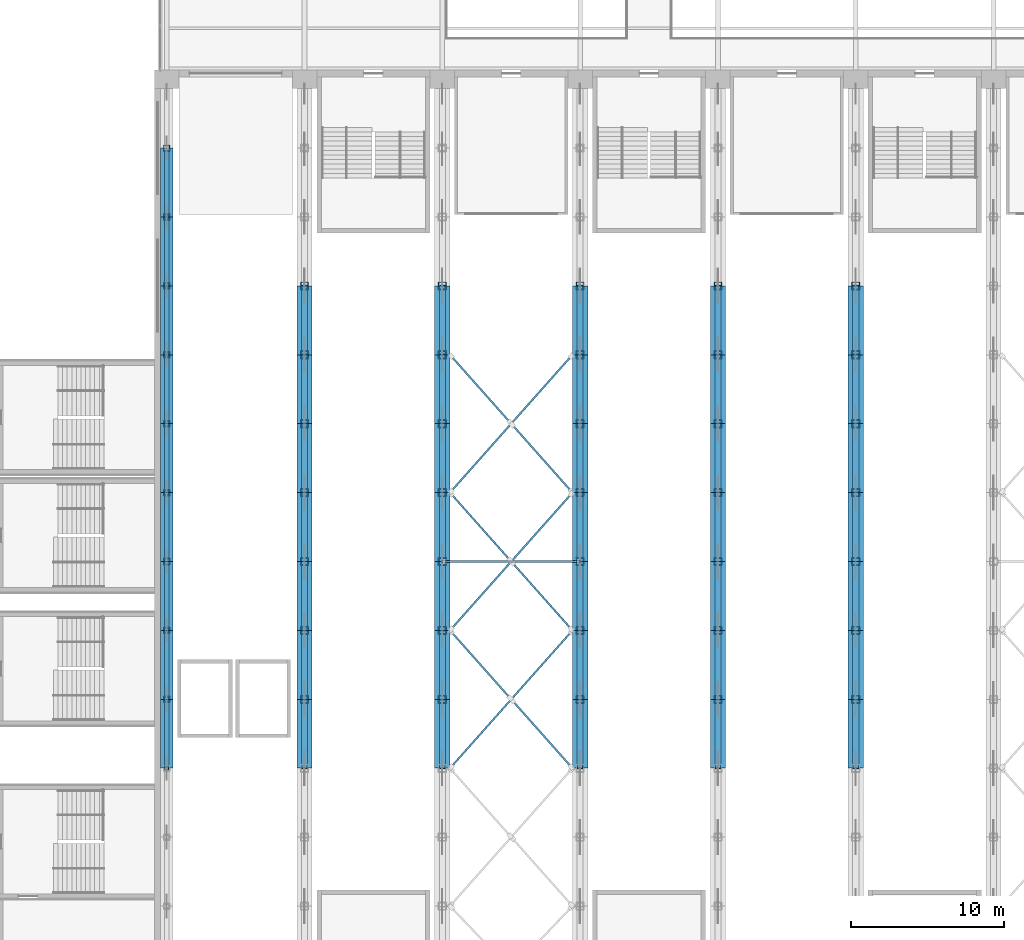
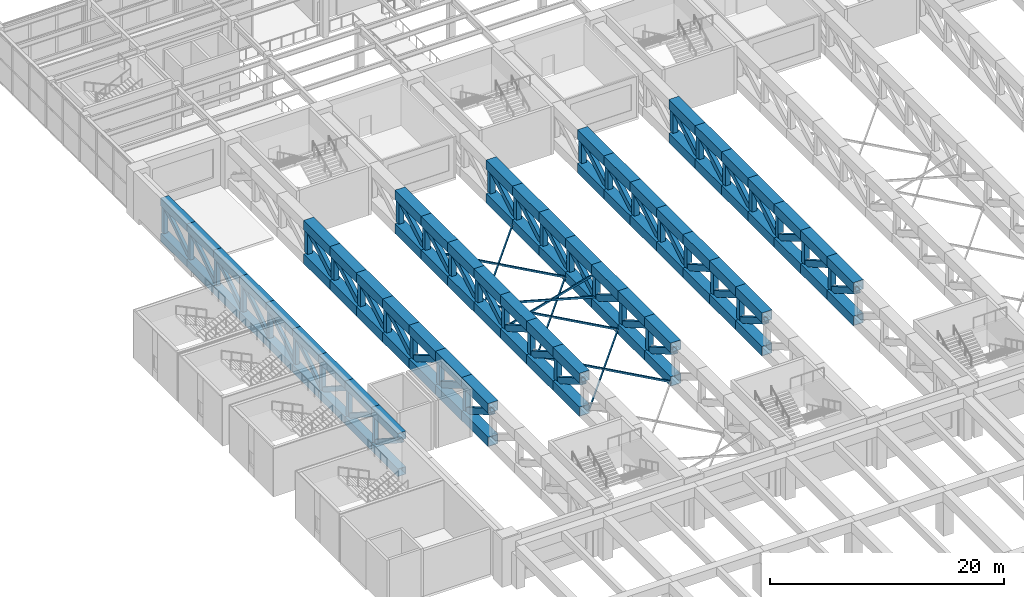
# One storey, part 13 of 76: 188 members.
"""IFC4 building model written with IfcOpenShell, lengths in metres."""

from ifc_helpers import new_model, si_unit, direction, frame, origin, origin_2d, place, context, subcontext, project, spatial, hollow_rectangle, extrude, material, material_profile, profile_set, type_object, element, save


model = new_model("IFC4")

# Units and contexts
model_context = context("Model", 3, precision=1e-05, world=origin(), true_north=direction((0.0, 1.0)))
body_context = subcontext(model_context, "Body", "Model", "MODEL_VIEW")
ifc_project = project(units=[si_unit("LENGTHUNIT", "METRE"), si_unit("AREAUNIT", "SQUARE_METRE"), si_unit("VOLUMEUNIT", "CUBIC_METRE"), si_unit("PLANEANGLEUNIT", "RADIAN"), si_unit("MASSUNIT", "GRAM", prefix="KILO")], contexts=[model_context])

# Site, building, storey
site_placement = place(None, origin())
site = spatial("IfcSite", under=ifc_project, at=site_placement, CompositionType="ELEMENT")
building_placement = place(site_placement, origin())
building = spatial("IfcBuilding", under=site, at=building_placement, Name="Aravalli Gate Trade Fair Centre", CompositionType="ELEMENT")
storey_placement = place(building_placement, frame((0.0, 0.0, 10.0)))
storey = spatial("IfcBuildingStorey", under=building, at=storey_placement, Name="L02", CompositionType="ELEMENT", Elevation=10.0)

# Members
ifc_material = material(Name="Steel E350", Category="steel")
ifc_material_profile_1 = material_profile(ifc_material, hollow_rectangle(XDim=0.1201171875, YDim=0.199951171875, WallThickness=0.008056640625, at=origin_2d()), Name="RHS 200x120x8")
ifc_profile_set_1 = profile_set([ifc_material_profile_1], Name="Steel E350")
member_type_1 = type_object("IfcMemberType", Name="Cross frame brace RHS 200x120x8", PredefinedType="BRACE", material=ifc_profile_set_1)
member_1_placement = place(storey_placement, frame((24.5, 64.0, 0.5), z_axis=(0.66436383883, 0.747409318684, 0.0), x_axis=(-0.747409318684, 0.66436383883, 0.0)))
element("IfcMember", 1, at=member_1_placement, inside=storey, type_object=member_type_1, Name="FT plan brace bay 3 cell 3A", PredefinedType="BRACE", context=body_context, shape_type="SweptSolid", body=[
    extrude(hollow_rectangle(XDim=0.1201171875, YDim=0.199951171875, WallThickness=0.008056640625, at=origin_2d()), origin(), (0.0, 0.0, 1.0), 12.04150390625),
])
for number, where, z_axis, x_axis, name in (
    (2, (24.5, 73.0, 0.5), (0.66436383883, -0.747409318684, 0.0), (0.747409318684, 0.66436383883, 0.0), "FT plan brace bay 3 cell 3B half 1"),
    (3, (28.5, 68.5, 0.5), (0.66436383883, -0.747409318684, 0.0), (0.747409318684, 0.66436383883, 0.0), "FT plan brace bay 3 cell 3B half 2"),
):
    element("IfcMember", number, at=place(storey_placement, frame(where, z_axis=z_axis, x_axis=x_axis)), inside=storey, type_object=member_type_1, Name=name, PredefinedType="BRACE", context=body_context, shape_type="SweptSolid", body=[
        extrude(hollow_rectangle(XDim=0.1201171875, YDim=0.199951171875, WallThickness=0.008056640625, at=origin_2d()), origin(), (0.0, 0.0, 1.0), 6.020751953125),
    ])
member_2_placement = place(storey_placement, frame((24.5, 73.0, 0.5), z_axis=(0.66436383883, 0.747409318684, 0.0), x_axis=(-0.747409318684, 0.66436383883, 0.0)))
element("IfcMember", 4, at=member_2_placement, inside=storey, type_object=member_type_1, Name="FT plan brace bay 3 cell 4A", PredefinedType="BRACE", context=body_context, shape_type="SweptSolid", body=[
    extrude(hollow_rectangle(XDim=0.1201171875, YDim=0.199951171875, WallThickness=0.008056640625, at=origin_2d()), origin(), (0.0, 0.0, 1.0), 12.04150390625),
])
for number, where, z_axis, x_axis, name in (
    (5, (24.5, 82.0, 0.5), (0.66436383883, -0.747409318684, 0.0), (0.747409318684, 0.66436383883, 0.0), "FT plan brace bay 3 cell 4B half 1"),
    (6, (28.5, 77.5, 0.5), (0.66436383883, -0.747409318684, 0.0), (0.747409318684, 0.66436383883, 0.0), "FT plan brace bay 3 cell 4B half 2"),
):
    element("IfcMember", number, at=place(storey_placement, frame(where, z_axis=z_axis, x_axis=x_axis)), inside=storey, type_object=member_type_1, Name=name, PredefinedType="BRACE", context=body_context, shape_type="SweptSolid", body=[
        extrude(hollow_rectangle(XDim=0.1201171875, YDim=0.199951171875, WallThickness=0.008056640625, at=origin_2d()), origin(), (0.0, 0.0, 1.0), 6.020751953125),
    ])
member_3_placement = place(storey_placement, frame((24.5, 82.0, 0.5), z_axis=(0.66436383883, 0.747409318684, 0.0), x_axis=(-0.747409318684, 0.66436383883, 0.0)))
element("IfcMember", 7, at=member_3_placement, inside=storey, type_object=member_type_1, Name="FT plan brace bay 3 cell 5A", PredefinedType="BRACE", context=body_context, shape_type="SweptSolid", body=[
    extrude(hollow_rectangle(XDim=0.1201171875, YDim=0.199951171875, WallThickness=0.008056640625, at=origin_2d()), origin(), (0.0, 0.0, 1.0), 12.04150390625),
])
for number, where, z_axis, x_axis, name in (
    (8, (24.5, 91.0, 0.5), (0.66436383883, -0.747409318684, 0.0), (0.747409318684, 0.66436383883, 0.0), "FT plan brace bay 3 cell 5B half 1"),
    (9, (28.5, 86.5, 0.5), (0.66436383883, -0.747409318684, 0.0), (0.747409318684, 0.66436383883, 0.0), "FT plan brace bay 3 cell 5B half 2"),
):
    element("IfcMember", number, at=place(storey_placement, frame(where, z_axis=z_axis, x_axis=x_axis)), inside=storey, type_object=member_type_1, Name=name, PredefinedType="BRACE", context=body_context, shape_type="SweptSolid", body=[
        extrude(hollow_rectangle(XDim=0.1201171875, YDim=0.199951171875, WallThickness=0.008056640625, at=origin_2d()), origin(), (0.0, 0.0, 1.0), 6.020751953125),
    ])
member_4_placement = place(storey_placement, frame((24.0, 77.5, 1.0), z_axis=(0.96351790963, 0.0, 0.267643863786), x_axis=(0.0, 1.0, 0.0)))
element("IfcMember", 10, at=member_4_placement, inside=storey, type_object=member_type_1, Name="FT vertical brace bay 3 frame 2A", PredefinedType="BRACE", context=body_context, shape_type="SweptSolid", body=[
    extrude(hollow_rectangle(XDim=0.1201171875, YDim=0.199951171875, WallThickness=0.008056640625, at=origin_2d()), origin(), (0.0, 0.0, 1.0), 9.3408203125),
])
for number, where, z_axis, x_axis, name in (
    (11, (24.0, 77.5, 3.5), (0.96351790963, 0.0, -0.267643863786), (0.0, 1.0, 0.0), "FT vertical brace bay 3 frame 2B half 1"),
    (12, (28.5, 77.5, 2.25), (0.96351790963, 0.0, -0.267643863786), (0.0, 1.0, 0.0), "FT vertical brace bay 3 frame 2B half 2"),
):
    element("IfcMember", number, at=place(storey_placement, frame(where, z_axis=z_axis, x_axis=x_axis)), inside=storey, type_object=member_type_1, Name=name, PredefinedType="BRACE", context=body_context, shape_type="SweptSolid", body=[
        extrude(hollow_rectangle(XDim=0.1201171875, YDim=0.199951171875, WallThickness=0.008056640625, at=origin_2d()), origin(), (0.0, 0.0, 1.0), 4.67041015625),
    ])
ifc_material_profile_2 = material_profile(ifc_material, hollow_rectangle(XDim=1.0, YDim=1.0, WallThickness=0.050048828125, at=origin_2d()), Name="BOX 1000x1000x50")
ifc_profile_set_2 = profile_set([ifc_material_profile_2], Name="Steel E350")
member_type_2 = type_object("IfcMemberType", Name="FT1 chord BOX 1000x1000x50", PredefinedType="CHORD", material=ifc_profile_set_2)
for number, where, z_axis, x_axis, name in (
    (13, (15.0, 64.0, 0.5), (0.0, 1.0, 0.0), (-1.0, 0.0, 0.0), "FT1 line 2 bottom chord 5"),
    (14, (15.0, 64.0, 4.0), (0.0, 1.0, 0.0), (-1.0, 0.0, 0.0), "FT1 line 2 top chord 5"),
    (15, (15.0, 68.5, 0.5), (0.0, 1.0, 0.0), (-1.0, 0.0, 0.0), "FT1 line 2 bottom chord 6"),
    (16, (15.0, 68.5, 4.0), (0.0, 1.0, 0.0), (-1.0, 0.0, 0.0), "FT1 line 2 top chord 6"),
    (17, (15.0, 73.0, 0.5), (0.0, 1.0, 0.0), (-1.0, 0.0, 0.0), "FT1 line 2 bottom chord 7"),
    (18, (15.0, 73.0, 4.0), (0.0, 1.0, 0.0), (-1.0, 0.0, 0.0), "FT1 line 2 top chord 7"),
    (19, (15.0, 77.5, 0.5), (0.0, 1.0, 0.0), (-1.0, 0.0, 0.0), "FT1 line 2 bottom chord 8"),
    (20, (15.0, 77.5, 4.0), (0.0, 1.0, 0.0), (-1.0, 0.0, 0.0), "FT1 line 2 top chord 8"),
    (21, (15.0, 82.0, 0.5), (0.0, 1.0, 0.0), (-1.0, 0.0, 0.0), "FT1 line 2 bottom chord 9"),
    (22, (15.0, 82.0, 4.0), (0.0, 1.0, 0.0), (-1.0, 0.0, 0.0), "FT1 line 2 top chord 9"),
    (23, (15.0, 86.5, 0.5), (0.0, 1.0, 0.0), (-1.0, 0.0, 0.0), "FT1 line 2 bottom chord 10"),
    (24, (15.0, 86.5, 4.0), (0.0, 1.0, 0.0), (-1.0, 0.0, 0.0), "FT1 line 2 top chord 10"),
    (25, (15.0, 91.0, 0.5), (0.0, 1.0, 0.0), (-1.0, 0.0, 0.0), "FT1 line 2 bottom chord 11"),
    (26, (15.0, 91.0, 4.0), (0.0, 1.0, 0.0), (-1.0, 0.0, 0.0), "FT1 line 2 top chord 11"),
    (27, (24.0, 64.0, 0.5), (0.0, 1.0, 0.0), (-1.0, 0.0, 0.0), "FT1 line 3 bottom chord 5"),
    (28, (24.0, 64.0, 4.0), (0.0, 1.0, 0.0), (-1.0, 0.0, 0.0), "FT1 line 3 top chord 5"),
    (29, (24.0, 68.5, 0.5), (0.0, 1.0, 0.0), (-1.0, 0.0, 0.0), "FT1 line 3 bottom chord 6"),
    (30, (24.0, 68.5, 4.0), (0.0, 1.0, 0.0), (-1.0, 0.0, 0.0), "FT1 line 3 top chord 6"),
    (31, (24.0, 73.0, 0.5), (0.0, 1.0, 0.0), (-1.0, 0.0, 0.0), "FT1 line 3 bottom chord 7"),
    (32, (24.0, 73.0, 4.0), (0.0, 1.0, 0.0), (-1.0, 0.0, 0.0), "FT1 line 3 top chord 7"),
    (33, (24.0, 77.5, 0.5), (0.0, 1.0, 0.0), (-1.0, 0.0, 0.0), "FT1 line 3 bottom chord 8"),
    (34, (24.0, 77.5, 4.0), (0.0, 1.0, 0.0), (-1.0, 0.0, 0.0), "FT1 line 3 top chord 8"),
    (35, (24.0, 82.0, 0.5), (0.0, 1.0, 0.0), (-1.0, 0.0, 0.0), "FT1 line 3 bottom chord 9"),
    (36, (24.0, 82.0, 4.0), (0.0, 1.0, 0.0), (-1.0, 0.0, 0.0), "FT1 line 3 top chord 9"),
    (37, (24.0, 86.5, 0.5), (0.0, 1.0, 0.0), (-1.0, 0.0, 0.0), "FT1 line 3 bottom chord 10"),
    (38, (24.0, 86.5, 4.0), (0.0, 1.0, 0.0), (-1.0, 0.0, 0.0), "FT1 line 3 top chord 10"),
    (39, (24.0, 91.0, 0.5), (0.0, 1.0, 0.0), (-1.0, 0.0, 0.0), "FT1 line 3 bottom chord 11"),
    (40, (24.0, 91.0, 4.0), (0.0, 1.0, 0.0), (-1.0, 0.0, 0.0), "FT1 line 3 top chord 11"),
    (41, (33.0, 64.0, 0.5), (0.0, 1.0, 0.0), (-1.0, 0.0, 0.0), "FT1 line 4 bottom chord 5"),
    (42, (33.0, 64.0, 4.0), (0.0, 1.0, 0.0), (-1.0, 0.0, 0.0), "FT1 line 4 top chord 5"),
    (43, (33.0, 68.5, 0.5), (0.0, 1.0, 0.0), (-1.0, 0.0, 0.0), "FT1 line 4 bottom chord 6"),
    (44, (33.0, 68.5, 4.0), (0.0, 1.0, 0.0), (-1.0, 0.0, 0.0), "FT1 line 4 top chord 6"),
    (45, (33.0, 73.0, 0.5), (0.0, 1.0, 0.0), (-1.0, 0.0, 0.0), "FT1 line 4 bottom chord 7"),
    (46, (33.0, 73.0, 4.0), (0.0, 1.0, 0.0), (-1.0, 0.0, 0.0), "FT1 line 4 top chord 7"),
    (47, (33.0, 77.5, 0.5), (0.0, 1.0, 0.0), (-1.0, 0.0, 0.0), "FT1 line 4 bottom chord 8"),
    (48, (33.0, 77.5, 4.0), (0.0, 1.0, 0.0), (-1.0, 0.0, 0.0), "FT1 line 4 top chord 8"),
    (49, (33.0, 82.0, 0.5), (0.0, 1.0, 0.0), (-1.0, 0.0, 0.0), "FT1 line 4 bottom chord 9"),
    (50, (33.0, 82.0, 4.0), (0.0, 1.0, 0.0), (-1.0, 0.0, 0.0), "FT1 line 4 top chord 9"),
    (51, (33.0, 86.5, 0.5), (0.0, 1.0, 0.0), (-1.0, 0.0, 0.0), "FT1 line 4 bottom chord 10"),
    (52, (33.0, 86.5, 4.0), (0.0, 1.0, 0.0), (-1.0, 0.0, 0.0), "FT1 line 4 top chord 10"),
    (53, (33.0, 91.0, 0.5), (0.0, 1.0, 0.0), (-1.0, 0.0, 0.0), "FT1 line 4 bottom chord 11"),
    (54, (33.0, 91.0, 4.0), (0.0, 1.0, 0.0), (-1.0, 0.0, 0.0), "FT1 line 4 top chord 11"),
    (55, (42.0, 64.0, 0.5), (0.0, 1.0, 0.0), (-1.0, 0.0, 0.0), "FT1 line 5 bottom chord 5"),
    (56, (42.0, 64.0, 4.0), (0.0, 1.0, 0.0), (-1.0, 0.0, 0.0), "FT1 line 5 top chord 5"),
    (57, (42.0, 68.5, 0.5), (0.0, 1.0, 0.0), (-1.0, 0.0, 0.0), "FT1 line 5 bottom chord 6"),
    (58, (42.0, 68.5, 4.0), (0.0, 1.0, 0.0), (-1.0, 0.0, 0.0), "FT1 line 5 top chord 6"),
    (59, (42.0, 73.0, 0.5), (0.0, 1.0, 0.0), (-1.0, 0.0, 0.0), "FT1 line 5 bottom chord 7"),
    (60, (42.0, 73.0, 4.0), (0.0, 1.0, 0.0), (-1.0, 0.0, 0.0), "FT1 line 5 top chord 7"),
    (61, (42.0, 77.5, 0.5), (0.0, 1.0, 0.0), (-1.0, 0.0, 0.0), "FT1 line 5 bottom chord 8"),
    (62, (42.0, 77.5, 4.0), (0.0, 1.0, 0.0), (-1.0, 0.0, 0.0), "FT1 line 5 top chord 8"),
    (63, (42.0, 82.0, 0.5), (0.0, 1.0, 0.0), (-1.0, 0.0, 0.0), "FT1 line 5 bottom chord 9"),
    (64, (42.0, 82.0, 4.0), (0.0, 1.0, 0.0), (-1.0, 0.0, 0.0), "FT1 line 5 top chord 9"),
    (65, (42.0, 86.5, 0.5), (0.0, 1.0, 0.0), (-1.0, 0.0, 0.0), "FT1 line 5 bottom chord 10"),
    (66, (42.0, 86.5, 4.0), (0.0, 1.0, 0.0), (-1.0, 0.0, 0.0), "FT1 line 5 top chord 10"),
    (67, (42.0, 91.0, 0.5), (0.0, 1.0, 0.0), (-1.0, 0.0, 0.0), "FT1 line 5 bottom chord 11"),
    (68, (42.0, 91.0, 4.0), (0.0, 1.0, 0.0), (-1.0, 0.0, 0.0), "FT1 line 5 top chord 11"),
    (69, (51.0, 64.0, 0.5), (0.0, 1.0, 0.0), (-1.0, 0.0, 0.0), "FT1 line 6 bottom chord 5"),
    (70, (51.0, 64.0, 4.0), (0.0, 1.0, 0.0), (-1.0, 0.0, 0.0), "FT1 line 6 top chord 5"),
    (71, (51.0, 68.5, 0.5), (0.0, 1.0, 0.0), (-1.0, 0.0, 0.0), "FT1 line 6 bottom chord 6"),
    (72, (51.0, 68.5, 4.0), (0.0, 1.0, 0.0), (-1.0, 0.0, 0.0), "FT1 line 6 top chord 6"),
    (73, (51.0, 73.0, 0.5), (0.0, 1.0, 0.0), (-1.0, 0.0, 0.0), "FT1 line 6 bottom chord 7"),
    (74, (51.0, 73.0, 4.0), (0.0, 1.0, 0.0), (-1.0, 0.0, 0.0), "FT1 line 6 top chord 7"),
    (75, (51.0, 77.5, 0.5), (0.0, 1.0, 0.0), (-1.0, 0.0, 0.0), "FT1 line 6 bottom chord 8"),
    (76, (51.0, 77.5, 4.0), (0.0, 1.0, 0.0), (-1.0, 0.0, 0.0), "FT1 line 6 top chord 8"),
    (77, (51.0, 82.0, 0.5), (0.0, 1.0, 0.0), (-1.0, 0.0, 0.0), "FT1 line 6 bottom chord 9"),
    (78, (51.0, 82.0, 4.0), (0.0, 1.0, 0.0), (-1.0, 0.0, 0.0), "FT1 line 6 top chord 9"),
    (79, (51.0, 86.5, 0.5), (0.0, 1.0, 0.0), (-1.0, 0.0, 0.0), "FT1 line 6 bottom chord 10"),
    (80, (51.0, 86.5, 4.0), (0.0, 1.0, 0.0), (-1.0, 0.0, 0.0), "FT1 line 6 top chord 10"),
    (81, (51.0, 91.0, 0.5), (0.0, 1.0, 0.0), (-1.0, 0.0, 0.0), "FT1 line 6 bottom chord 11"),
    (82, (51.0, 91.0, 4.0), (0.0, 1.0, 0.0), (-1.0, 0.0, 0.0), "FT1 line 6 top chord 11"),
):
    element("IfcMember", number, at=place(storey_placement, frame(where, z_axis=z_axis, x_axis=x_axis)), inside=storey, type_object=member_type_2, Name=name, PredefinedType="CHORD", context=body_context, shape_type="SweptSolid", body=[
        extrude(hollow_rectangle(XDim=1.0, YDim=1.0, WallThickness=0.050048828125, at=origin_2d()), origin(), (0.0, 0.0, 1.0), 4.5),
    ])
ifc_material_profile_3 = material_profile(ifc_material, hollow_rectangle(XDim=0.39990234375, YDim=0.60009765625, WallThickness=0.030029296875, at=origin_2d()), Name="RHS 600x400x30")
ifc_profile_set_3 = profile_set([ifc_material_profile_3], Name="Steel E350")
member_type_3 = type_object("IfcMemberType", Name="FT1 diagonal RHS 600x400x30", PredefinedType="BRACE", material=ifc_profile_set_3)
for number, where, z_axis, x_axis, name in (
    (83, (15.0, 64.10498046875, 3.5), (0.0, 0.863999951417, -0.503491890651), (-1.0, 0.0, 0.0), "FT1 line 2 diagonal 5"),
    (84, (15.0, 68.60498046875, 3.5), (0.0, 0.863999951417, -0.503491890651), (-1.0, 0.0, 0.0), "FT1 line 2 diagonal 6"),
    (85, (15.0, 73.10498046875, 3.5), (0.0, 0.863999951417, -0.503491890651), (-1.0, 0.0, 0.0), "FT1 line 2 diagonal 7"),
    (86, (15.0, 81.89501953125, 3.5), (0.0, -0.863999951417, -0.503491890651), (1.0, 0.0, 0.0), "FT1 line 2 diagonal 8"),
    (87, (15.0, 86.39501953125, 3.5), (0.0, -0.863999951417, -0.503491890651), (1.0, 0.0, 0.0), "FT1 line 2 diagonal 9"),
    (88, (15.0, 90.89501953125, 3.5), (0.0, -0.863999951417, -0.503491890651), (1.0, 0.0, 0.0), "FT1 line 2 diagonal 10"),
    (89, (15.0, 95.39501953125, 3.5), (0.0, -0.863999951417, -0.503491890651), (1.0, 0.0, 0.0), "FT1 line 2 diagonal 11"),
    (90, (24.0, 64.10498046875, 3.5), (0.0, 0.863999951417, -0.503491890651), (-1.0, 0.0, 0.0), "FT1 line 3 diagonal 5"),
    (91, (24.0, 68.60498046875, 3.5), (0.0, 0.863999951417, -0.503491890651), (-1.0, 0.0, 0.0), "FT1 line 3 diagonal 6"),
    (92, (24.0, 73.10498046875, 3.5), (0.0, 0.863999951417, -0.503491890651), (-1.0, 0.0, 0.0), "FT1 line 3 diagonal 7"),
    (93, (24.0, 81.89501953125, 3.5), (0.0, -0.863999951417, -0.503491890651), (1.0, 0.0, 0.0), "FT1 line 3 diagonal 8"),
    (94, (24.0, 86.39501953125, 3.5), (0.0, -0.863999951417, -0.503491890651), (1.0, 0.0, 0.0), "FT1 line 3 diagonal 9"),
    (95, (24.0, 90.89501953125, 3.5), (0.0, -0.863999951417, -0.503491890651), (1.0, 0.0, 0.0), "FT1 line 3 diagonal 10"),
    (96, (24.0, 95.39501953125, 3.5), (0.0, -0.863999951417, -0.503491890651), (1.0, 0.0, 0.0), "FT1 line 3 diagonal 11"),
    (97, (33.0, 64.10498046875, 3.5), (0.0, 0.863999951417, -0.503491890651), (-1.0, 0.0, 0.0), "FT1 line 4 diagonal 5"),
    (98, (33.0, 68.60498046875, 3.5), (0.0, 0.863999951417, -0.503491890651), (-1.0, 0.0, 0.0), "FT1 line 4 diagonal 6"),
    (99, (33.0, 73.10498046875, 3.5), (0.0, 0.863999951417, -0.503491890651), (-1.0, 0.0, 0.0), "FT1 line 4 diagonal 7"),
    (100, (33.0, 81.89501953125, 3.5), (0.0, -0.863999951417, -0.503491890651), (1.0, 0.0, 0.0), "FT1 line 4 diagonal 8"),
    (101, (33.0, 86.39501953125, 3.5), (0.0, -0.863999951417, -0.503491890651), (1.0, 0.0, 0.0), "FT1 line 4 diagonal 9"),
    (102, (33.0, 90.89501953125, 3.5), (0.0, -0.863999951417, -0.503491890651), (1.0, 0.0, 0.0), "FT1 line 4 diagonal 10"),
    (103, (33.0, 95.39501953125, 3.5), (0.0, -0.863999951417, -0.503491890651), (1.0, 0.0, 0.0), "FT1 line 4 diagonal 11"),
    (104, (42.0, 64.10498046875, 3.5), (0.0, 0.863999951417, -0.503491890651), (-1.0, 0.0, 0.0), "FT1 line 5 diagonal 5"),
    (105, (42.0, 68.60498046875, 3.5), (0.0, 0.863999951417, -0.503491890651), (-1.0, 0.0, 0.0), "FT1 line 5 diagonal 6"),
    (106, (42.0, 73.10498046875, 3.5), (0.0, 0.863999951417, -0.503491890651), (-1.0, 0.0, 0.0), "FT1 line 5 diagonal 7"),
    (107, (42.0, 81.89501953125, 3.5), (0.0, -0.863999951417, -0.503491890651), (1.0, 0.0, 0.0), "FT1 line 5 diagonal 8"),
    (108, (42.0, 86.39501953125, 3.5), (0.0, -0.863999951417, -0.503491890651), (1.0, 0.0, 0.0), "FT1 line 5 diagonal 9"),
    (109, (42.0, 90.89501953125, 3.5), (0.0, -0.863999951417, -0.503491890651), (1.0, 0.0, 0.0), "FT1 line 5 diagonal 10"),
    (110, (42.0, 95.39501953125, 3.5), (0.0, -0.863999951417, -0.503491890651), (1.0, 0.0, 0.0), "FT1 line 5 diagonal 11"),
    (111, (51.0, 64.10498046875, 3.5), (0.0, 0.863999951417, -0.503491890651), (-1.0, 0.0, 0.0), "FT1 line 6 diagonal 5"),
    (112, (51.0, 68.60498046875, 3.5), (0.0, 0.863999951417, -0.503491890651), (-1.0, 0.0, 0.0), "FT1 line 6 diagonal 6"),
    (113, (51.0, 73.10498046875, 3.5), (0.0, 0.863999951417, -0.503491890651), (-1.0, 0.0, 0.0), "FT1 line 6 diagonal 7"),
    (114, (51.0, 81.89501953125, 3.5), (0.0, -0.863999951417, -0.503491890651), (1.0, 0.0, 0.0), "FT1 line 6 diagonal 8"),
    (115, (51.0, 86.39501953125, 3.5), (0.0, -0.863999951417, -0.503491890651), (1.0, 0.0, 0.0), "FT1 line 6 diagonal 9"),
    (116, (51.0, 90.89501953125, 3.5), (0.0, -0.863999951417, -0.503491890651), (1.0, 0.0, 0.0), "FT1 line 6 diagonal 10"),
    (117, (51.0, 95.39501953125, 3.5), (0.0, -0.863999951417, -0.503491890651), (1.0, 0.0, 0.0), "FT1 line 6 diagonal 11"),
):
    element("IfcMember", number, at=place(storey_placement, frame(where, z_axis=z_axis, x_axis=x_axis)), inside=storey, type_object=member_type_3, Name=name, PredefinedType="BRACE", context=body_context, shape_type="SweptSolid", body=[
        extrude(hollow_rectangle(XDim=0.39990234375, YDim=0.60009765625, WallThickness=0.030029296875, at=origin_2d()), origin(), (0.0, 0.0, 1.0), 4.96533203125),
    ])
ifc_material_profile_4 = material_profile(ifc_material, hollow_rectangle(XDim=0.5, YDim=0.5, WallThickness=0.02490234375, at=origin_2d()), Name="BOX 500x500x25")
ifc_profile_set_4 = profile_set([ifc_material_profile_4], Name="Steel E350")
member_type_4 = type_object("IfcMemberType", Name="FT1 post BOX 500x500x25", PredefinedType="POST", material=ifc_profile_set_4)
for number, where, z_axis, x_axis, name in (
    (118, (15.0, 68.5, 1.0), (0.0, 0.0, 1.0), (1.0, 0.0, 0.0), "FT1 line 2 post 5"),
    (119, (15.0, 73.0, 1.0), (0.0, 0.0, 1.0), (1.0, 0.0, 0.0), "FT1 line 2 post 6"),
    (120, (15.0, 77.5, 1.0), (0.0, 0.0, 1.0), (1.0, 0.0, 0.0), "FT1 line 2 post 7"),
    (121, (15.0, 82.0, 1.0), (0.0, 0.0, 1.0), (1.0, 0.0, 0.0), "FT1 line 2 post 8"),
    (122, (15.0, 86.5, 1.0), (0.0, 0.0, 1.0), (1.0, 0.0, 0.0), "FT1 line 2 post 9"),
    (123, (15.0, 91.0, 1.0), (0.0, 0.0, 1.0), (1.0, 0.0, 0.0), "FT1 line 2 post 10"),
    (124, (15.0, 95.5, 1.0), (0.0, 0.0, 1.0), (1.0, 0.0, 0.0), "FT1 line 2 post 11"),
    (125, (24.0, 68.5, 1.0), (0.0, 0.0, 1.0), (1.0, 0.0, 0.0), "FT1 line 3 post 5"),
    (126, (24.0, 73.0, 1.0), (0.0, 0.0, 1.0), (1.0, 0.0, 0.0), "FT1 line 3 post 6"),
    (127, (24.0, 77.5, 1.0), (0.0, 0.0, 1.0), (1.0, 0.0, 0.0), "FT1 line 3 post 7"),
    (128, (24.0, 82.0, 1.0), (0.0, 0.0, 1.0), (1.0, 0.0, 0.0), "FT1 line 3 post 8"),
    (129, (24.0, 86.5, 1.0), (0.0, 0.0, 1.0), (1.0, 0.0, 0.0), "FT1 line 3 post 9"),
    (130, (24.0, 91.0, 1.0), (0.0, 0.0, 1.0), (1.0, 0.0, 0.0), "FT1 line 3 post 10"),
    (131, (24.0, 95.5, 1.0), (0.0, 0.0, 1.0), (1.0, 0.0, 0.0), "FT1 line 3 post 11"),
    (132, (33.0, 68.5, 1.0), (0.0, 0.0, 1.0), (1.0, 0.0, 0.0), "FT1 line 4 post 5"),
    (133, (33.0, 73.0, 1.0), (0.0, 0.0, 1.0), (1.0, 0.0, 0.0), "FT1 line 4 post 6"),
    (134, (33.0, 77.5, 1.0), (0.0, 0.0, 1.0), (1.0, 0.0, 0.0), "FT1 line 4 post 7"),
    (135, (33.0, 82.0, 1.0), (0.0, 0.0, 1.0), (1.0, 0.0, 0.0), "FT1 line 4 post 8"),
    (136, (33.0, 86.5, 1.0), (0.0, 0.0, 1.0), (1.0, 0.0, 0.0), "FT1 line 4 post 9"),
    (137, (33.0, 91.0, 1.0), (0.0, 0.0, 1.0), (1.0, 0.0, 0.0), "FT1 line 4 post 10"),
    (138, (33.0, 95.5, 1.0), (0.0, 0.0, 1.0), (1.0, 0.0, 0.0), "FT1 line 4 post 11"),
    (139, (42.0, 68.5, 1.0), (0.0, 0.0, 1.0), (1.0, 0.0, 0.0), "FT1 line 5 post 5"),
    (140, (42.0, 73.0, 1.0), (0.0, 0.0, 1.0), (1.0, 0.0, 0.0), "FT1 line 5 post 6"),
    (141, (42.0, 77.5, 1.0), (0.0, 0.0, 1.0), (1.0, 0.0, 0.0), "FT1 line 5 post 7"),
    (142, (42.0, 82.0, 1.0), (0.0, 0.0, 1.0), (1.0, 0.0, 0.0), "FT1 line 5 post 8"),
    (143, (42.0, 86.5, 1.0), (0.0, 0.0, 1.0), (1.0, 0.0, 0.0), "FT1 line 5 post 9"),
    (144, (42.0, 91.0, 1.0), (0.0, 0.0, 1.0), (1.0, 0.0, 0.0), "FT1 line 5 post 10"),
    (145, (42.0, 95.5, 1.0), (0.0, 0.0, 1.0), (1.0, 0.0, 0.0), "FT1 line 5 post 11"),
    (146, (51.0, 68.5, 1.0), (0.0, 0.0, 1.0), (1.0, 0.0, 0.0), "FT1 line 6 post 5"),
    (147, (51.0, 73.0, 1.0), (0.0, 0.0, 1.0), (1.0, 0.0, 0.0), "FT1 line 6 post 6"),
    (148, (51.0, 77.5, 1.0), (0.0, 0.0, 1.0), (1.0, 0.0, 0.0), "FT1 line 6 post 7"),
    (149, (51.0, 82.0, 1.0), (0.0, 0.0, 1.0), (1.0, 0.0, 0.0), "FT1 line 6 post 8"),
    (150, (51.0, 86.5, 1.0), (0.0, 0.0, 1.0), (1.0, 0.0, 0.0), "FT1 line 6 post 9"),
    (151, (51.0, 91.0, 1.0), (0.0, 0.0, 1.0), (1.0, 0.0, 0.0), "FT1 line 6 post 10"),
    (152, (51.0, 95.5, 1.0), (0.0, 0.0, 1.0), (1.0, 0.0, 0.0), "FT1 line 6 post 11"),
):
    element("IfcMember", number, at=place(storey_placement, frame(where, z_axis=z_axis, x_axis=x_axis)), inside=storey, type_object=member_type_4, Name=name, PredefinedType="POST", context=body_context, shape_type="SweptSolid", body=[
        extrude(hollow_rectangle(XDim=0.5, YDim=0.5, WallThickness=0.02490234375, at=origin_2d()), origin(), (0.0, 0.0, 1.0), 2.5),
    ])
ifc_material_profile_5 = material_profile(ifc_material, hollow_rectangle(XDim=0.800048828125, YDim=0.800048828125, WallThickness=0.0400390625, at=origin_2d()), Name="BOX 800x800x40")
ifc_profile_set_5 = profile_set([ifc_material_profile_5], Name="Steel E350")
member_type_5 = type_object("IfcMemberType", Name="FT2 chord BOX 800x800x40", PredefinedType="CHORD", material=ifc_profile_set_5)
for number, where, z_axis, x_axis, name in (
    (153, (6.0, 64.0, 0.39990234375), (0.0, 1.0, 0.0), (-1.0, 0.0, 0.0), "FT2 line 1 bottom chord 5"),
    (154, (6.0, 64.0, 4.10009765625), (0.0, 1.0, 0.0), (-1.0, 0.0, 0.0), "FT2 line 1 top chord 5"),
    (155, (6.0, 68.5, 0.39990234375), (0.0, 1.0, 0.0), (-1.0, 0.0, 0.0), "FT2 line 1 bottom chord 6"),
    (156, (6.0, 68.5, 4.10009765625), (0.0, 1.0, 0.0), (-1.0, 0.0, 0.0), "FT2 line 1 top chord 6"),
    (157, (6.0, 73.0, 0.39990234375), (0.0, 1.0, 0.0), (-1.0, 0.0, 0.0), "FT2 line 1 bottom chord 7"),
    (158, (6.0, 73.0, 4.10009765625), (0.0, 1.0, 0.0), (-1.0, 0.0, 0.0), "FT2 line 1 top chord 7"),
    (159, (6.0, 77.5, 0.39990234375), (0.0, 1.0, 0.0), (-1.0, 0.0, 0.0), "FT2 line 1 bottom chord 8"),
    (160, (6.0, 77.5, 4.10009765625), (0.0, 1.0, 0.0), (-1.0, 0.0, 0.0), "FT2 line 1 top chord 8"),
    (161, (6.0, 82.0, 0.39990234375), (0.0, 1.0, 0.0), (-1.0, 0.0, 0.0), "FT2 line 1 bottom chord 9"),
    (162, (6.0, 82.0, 4.10009765625), (0.0, 1.0, 0.0), (-1.0, 0.0, 0.0), "FT2 line 1 top chord 9"),
    (163, (6.0, 86.5, 0.39990234375), (0.0, 1.0, 0.0), (-1.0, 0.0, 0.0), "FT2 line 1 bottom chord 10"),
    (164, (6.0, 86.5, 4.10009765625), (0.0, 1.0, 0.0), (-1.0, 0.0, 0.0), "FT2 line 1 top chord 10"),
    (165, (6.0, 91.0, 0.39990234375), (0.0, 1.0, 0.0), (-1.0, 0.0, 0.0), "FT2 line 1 bottom chord 11"),
    (166, (6.0, 91.0, 4.10009765625), (0.0, 1.0, 0.0), (-1.0, 0.0, 0.0), "FT2 line 1 top chord 11"),
    (167, (6.0, 95.5, 0.39990234375), (0.0, 1.0, 0.0), (-1.0, 0.0, 0.0), "FT2 line 1 bottom chord 12"),
    (168, (6.0, 95.5, 4.10009765625), (0.0, 1.0, 0.0), (-1.0, 0.0, 0.0), "FT2 line 1 top chord 12"),
    (169, (6.0, 100.0, 0.39990234375), (0.0, 1.0, 0.0), (-1.0, 0.0, 0.0), "FT2 line 1 bottom chord 13"),
    (170, (6.0, 100.0, 4.10009765625), (0.0, 1.0, 0.0), (-1.0, 0.0, 0.0), "FT2 line 1 top chord 13"),
):
    element("IfcMember", number, at=place(storey_placement, frame(where, z_axis=z_axis, x_axis=x_axis)), inside=storey, type_object=member_type_5, Name=name, PredefinedType="CHORD", context=body_context, shape_type="SweptSolid", body=[
        extrude(hollow_rectangle(XDim=0.800048828125, YDim=0.800048828125, WallThickness=0.0400390625, at=origin_2d()), origin(), (0.0, 0.0, 1.0), 4.5),
    ])
ifc_material_profile_6 = material_profile(ifc_material, hollow_rectangle(XDim=0.300048828125, YDim=0.449951171875, WallThickness=0.02001953125, at=origin_2d()), Name="RHS 450x300x20")
ifc_profile_set_6 = profile_set([ifc_material_profile_6], Name="Steel E350")
member_type_6 = type_object("IfcMemberType", Name="FT2 diagonal RHS 450x300x20", PredefinedType="BRACE", material=ifc_profile_set_6)
for number, where, z_axis, x_axis, name in (
    (171, (6.0, 64.0, 3.699951171875), (0.0, 0.84057934116, -0.541688444786), (-1.0, 0.0, 0.0), "FT2 line 1 diagonal 5"),
    (172, (6.0, 68.5, 3.699951171875), (0.0, 0.84057934116, -0.541688444786), (-1.0, 0.0, 0.0), "FT2 line 1 diagonal 6"),
    (173, (6.0, 73.0, 3.699951171875), (0.0, 0.84057934116, -0.541688444786), (-1.0, 0.0, 0.0), "FT2 line 1 diagonal 7"),
    (174, (6.0, 82.0, 3.699951171875), (0.0, -0.84057934116, -0.541688444786), (1.0, 0.0, 0.0), "FT2 line 1 diagonal 8"),
    (175, (6.0, 86.5, 3.699951171875), (0.0, -0.84057934116, -0.541688444786), (1.0, 0.0, 0.0), "FT2 line 1 diagonal 9"),
    (176, (6.0, 91.0, 3.699951171875), (0.0, -0.84057934116, -0.541688444786), (1.0, 0.0, 0.0), "FT2 line 1 diagonal 10"),
    (177, (6.0, 95.5, 3.699951171875), (0.0, -0.84057934116, -0.541688444786), (1.0, 0.0, 0.0), "FT2 line 1 diagonal 11"),
    (178, (6.0, 100.0, 3.699951171875), (0.0, -0.84057934116, -0.541688444786), (1.0, 0.0, 0.0), "FT2 line 1 diagonal 12"),
    (179, (6.0, 104.5, 3.699951171875), (0.0, -0.84057934116, -0.541688444786), (1.0, 0.0, 0.0), "FT2 line 1 diagonal 13"),
):
    element("IfcMember", number, at=place(storey_placement, frame(where, z_axis=z_axis, x_axis=x_axis)), inside=storey, type_object=member_type_6, Name=name, PredefinedType="BRACE", context=body_context, shape_type="SweptSolid", body=[
        extrude(hollow_rectangle(XDim=0.300048828125, YDim=0.449951171875, WallThickness=0.02001953125, at=origin_2d()), origin(), (0.0, 0.0, 1.0), 5.353515625),
    ])
ifc_material_profile_7 = material_profile(ifc_material, hollow_rectangle(XDim=0.39990234375, YDim=0.39990234375, WallThickness=0.02001953125, at=origin_2d()), Name="BOX 400x400x20")
ifc_profile_set_7 = profile_set([ifc_material_profile_7], Name="Steel E350")
member_type_7 = type_object("IfcMemberType", Name="FT2 post BOX 400x400x20", PredefinedType="POST", material=ifc_profile_set_7)
for number, where, z_axis, x_axis, name in (
    (180, (6.0, 68.5, 0.800048828125), (0.0, 0.0, 1.0), (1.0, 0.0, 0.0), "FT2 line 1 post 5"),
    (181, (6.0, 73.0, 0.800048828125), (0.0, 0.0, 1.0), (1.0, 0.0, 0.0), "FT2 line 1 post 6"),
    (182, (6.0, 77.5, 0.800048828125), (0.0, 0.0, 1.0), (1.0, 0.0, 0.0), "FT2 line 1 post 7"),
    (183, (6.0, 82.0, 0.800048828125), (0.0, 0.0, 1.0), (1.0, 0.0, 0.0), "FT2 line 1 post 8"),
    (184, (6.0, 86.5, 0.800048828125), (0.0, 0.0, 1.0), (1.0, 0.0, 0.0), "FT2 line 1 post 9"),
    (185, (6.0, 91.0, 0.800048828125), (0.0, 0.0, 1.0), (1.0, 0.0, 0.0), "FT2 line 1 post 10"),
    (186, (6.0, 95.5, 0.800048828125), (0.0, 0.0, 1.0), (1.0, 0.0, 0.0), "FT2 line 1 post 11"),
    (187, (6.0, 100.0, 0.800048828125), (0.0, 0.0, 1.0), (1.0, 0.0, 0.0), "FT2 line 1 post 12"),
    (188, (6.0, 104.5, 0.800048828125), (0.0, 0.0, 1.0), (1.0, 0.0, 0.0), "FT2 line 1 post 13"),
):
    element("IfcMember", number, at=place(storey_placement, frame(where, z_axis=z_axis, x_axis=x_axis)), inside=storey, type_object=member_type_7, Name=name, PredefinedType="POST", context=body_context, shape_type="SweptSolid", body=[
        extrude(hollow_rectangle(XDim=0.39990234375, YDim=0.39990234375, WallThickness=0.02001953125, at=origin_2d()), origin(), (0.0, 0.0, 1.0), 2.89990234375),
    ])

save(model, "model.ifc")
